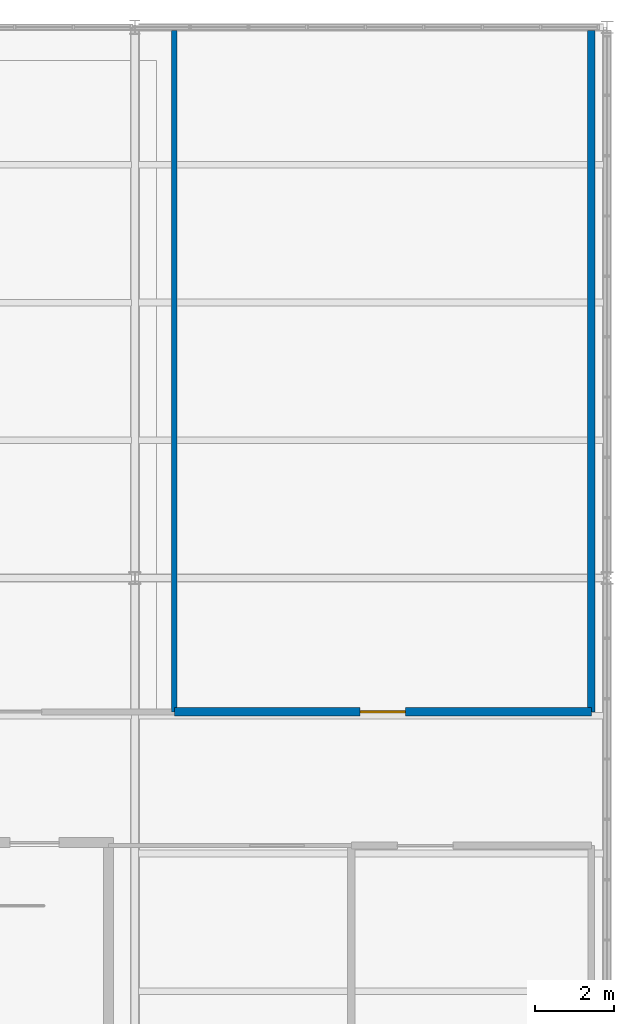
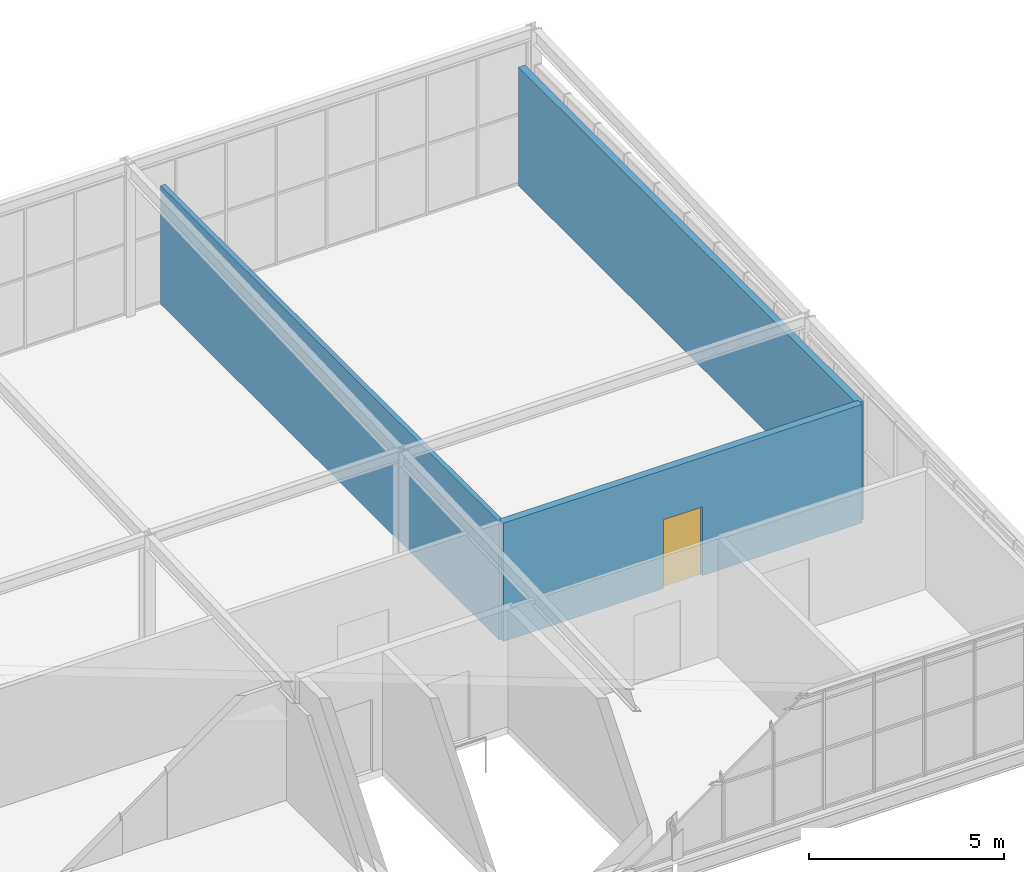
# One storey, part 26 of 27: 3 walls, 1 door, 1 opening.
"""IFC4 building model written with IfcOpenShell, lengths in metres."""

import ifcopenshell
import ifcopenshell.guid

model = None  # the IFC model being written
_history = None  # IfcOwnerHistory: only IFC2X3 demands one
_inside = {}  # id of a spatial element -> (the spatial element, [elements in it])
_under = {}  # id of a project, library or spatial element -> (it, [spatial elements below it])
_declared = {}  # id of a project -> (the project, [libraries it declares])
_typed = {}  # id of a type object -> (the type object, [elements of that type])
_made_of = {}  # id of a material, layer set ... -> (it, [elements and type objects made of it])


def new_model(schema):
    """Start an empty IFC model of exactly this schema.

    Asked for "IFC4X3", IfcOpenShell would pick the latest addendum, in which some entities
    have other attributes; the version numbers below select the first issue.
    IFC2X3 requires an IfcOwnerHistory on every rooted entity: one is made here for all.
    """
    global model, _history
    if schema == "IFC4X3":
        model = ifcopenshell.file(schema_version=(4, 3, 0, 0))
    else:
        model = ifcopenshell.file(schema=schema)
    _inside.clear()
    _under.clear()
    _declared.clear()
    _typed.clear()
    _made_of.clear()
    _history = None
    if model.schema == "IFC2X3":
        org = make("IfcOrganization", Name="unknown")
        user = make(
            "IfcPersonAndOrganization",
            ThePerson=make("IfcPerson", FamilyName="unknown"),
            TheOrganization=org,
        )
        app = make(
            "IfcApplication",
            ApplicationDeveloper=org,
            Version="unknown",
            ApplicationFullName="unknown",
            ApplicationIdentifier="unknown",
        )
        _history = make(
            "IfcOwnerHistory",
            OwningUser=user,
            OwningApplication=app,
            ChangeAction="ADDED",
            CreationDate=0,
        )
    return model


def make(cls, **values):
    """One entity of the class cls with the attributes given. An attribute that is None is left unset."""
    return model.create_entity(
        cls, **{name: value for name, value in values.items() if value is not None}
    )


def rooted(cls, **values):
    """An entity with a GlobalId (a new one), such as an element, a storey or a relation."""
    return make(cls, GlobalId=ifcopenshell.guid.new(), OwnerHistory=_history, **values)


def si_unit(unit_type, name, prefix=None):
    """IfcSIUnit, for example si_unit("LENGTHUNIT", "METRE", prefix="MILLI")."""
    return make("IfcSIUnit", UnitType=unit_type, Prefix=prefix, Name=name)


def assignment(units):
    """IfcUnitAssignment: the units of a project."""
    return None if units is None else make("IfcUnitAssignment", Units=units)


def point(xyz):
    """IfcCartesianPoint."""
    return None if xyz is None else make("IfcCartesianPoint", Coordinates=xyz)


def direction(xyz):
    """IfcDirection."""
    return None if xyz is None else make("IfcDirection", DirectionRatios=xyz)


def frame(location, z_axis=None, x_axis=None):
    """IfcAxis2Placement3D, a coordinate frame: its origin and axes. An axis left out is left unset."""
    return make(
        "IfcAxis2Placement3D",
        Location=point(location),
        Axis=direction(z_axis),
        RefDirection=direction(x_axis),
    )


def frame_2d(location, x_axis=None):
    """IfcAxis2Placement2D, a coordinate frame in the plane: its origin and x axis."""
    return make(
        "IfcAxis2Placement2D", Location=point(location), RefDirection=direction(x_axis)
    )


def origin():
    """The frame at (0, 0, 0) with its axes left unset."""
    return frame((0.0, 0.0, 0.0))


def place(relative_to, where):
    """IfcLocalPlacement: puts the frame where relative to a parent placement (None: the world)."""
    return make(
        "IfcLocalPlacement", PlacementRelTo=relative_to, RelativePlacement=where
    )


def context(
    kind, dimensions, precision=None, world=None, true_north=None, identifier=None
):
    """IfcGeometricRepresentationContext, for example the 3D "Model" context."""
    return make(
        "IfcGeometricRepresentationContext",
        ContextIdentifier=identifier,
        ContextType=kind,
        CoordinateSpaceDimension=dimensions,
        Precision=precision,
        WorldCoordinateSystem=world,
        TrueNorth=true_north,
    )


def subcontext(parent, identifier, kind, view, scale=None):
    """IfcGeometricRepresentationSubContext, for example "Body" below "Model"."""
    return make(
        "IfcGeometricRepresentationSubContext",
        ContextIdentifier=identifier,
        ContextType=kind,
        ParentContext=parent,
        TargetScale=scale,
        TargetView=view,
    )


def project(units=None, contexts=None):
    """IfcProject with its units and contexts."""
    return rooted(
        "IfcProject",
        Name="project",
        RepresentationContexts=contexts,
        UnitsInContext=assignment(units),
    )


def spatial(cls, under=None, at=None, **own):
    """A site, building, storey or space (cls), placed at a placement, below another one or the project."""
    s = rooted(cls, ObjectPlacement=at, **own)
    if under is not None:
        _under.setdefault(under.id(), (under, []))[1].append(s)
    return s


def profile(cls, at=None, kind="AREA", **sizes):
    """A parametric profile (cls). Its sizes go by their IFC names, for example OverallWidth=200.0."""
    return make(cls, ProfileType=kind, Position=at, **sizes)


def rectangle(**sizes):
    """IfcRectangleProfileDef."""
    return profile("IfcRectangleProfileDef", **sizes)


def extrude(swept, where, along, depth):
    """IfcExtrudedAreaSolid: the profile swept, set in the frame where, extruded along a direction by depth."""
    return make(
        "IfcExtrudedAreaSolid",
        SweptArea=swept,
        Position=where,
        ExtrudedDirection=direction(along),
        Depth=depth,
    )


def shape(context_of_items, identifier, shape_type, items):
    """IfcShapeRepresentation: the items that make up one representation, for example the "Body"."""
    return make(
        "IfcShapeRepresentation",
        ContextOfItems=context_of_items,
        RepresentationIdentifier=identifier,
        RepresentationType=shape_type,
        Items=items,
    )


def material(Name=None, Category=None):
    """IfcMaterial."""
    return make("IfcMaterial", Name=Name, Category=Category)


def layer(
    of_material, thickness, ventilated=None, Name=None, Category=None, Priority=None
):
    """IfcMaterialLayer: one layer of a wall or slab, of a material (None: an air gap)."""
    return make(
        "IfcMaterialLayer",
        Material=of_material,
        LayerThickness=thickness,
        IsVentilated=ventilated,
        Name=Name,
        Category=Category,
        Priority=Priority,
    )


def layer_set(layers, Name=None):
    """IfcMaterialLayerSet."""
    return make("IfcMaterialLayerSet", MaterialLayers=layers, LayerSetName=Name)


def made_of(thing, what):
    """Note that an element or type object is made of a material, layer set ...; save() writes the relation."""
    if what is not None:
        _made_of.setdefault(what.id(), (what, []))[1].append(thing)
    return thing


def type_object(cls, material=None, **own):
    """A type object (cls), such as IfcWallType, which elements share."""
    return made_of(rooted(cls, **own), material)


def element(
    cls,
    number,
    at=None,
    inside=None,
    cuts=None,
    type_object=None,
    material=None,
    context=None,
    identifier="Body",
    shape_type=None,
    held_by="IfcProductDefinitionShape",
    body=None,
    shapes=None,
    **own,
):
    """One element of the class cls, such as IfcWall. Its Tag is "e" and its number.

    at: its placement. inside: the storey or other place that contains it. cuts: it is an
    opening in that element (IfcRelVoidsElement). A single representation is given by context,
    identifier, shape_type and body (its items); several are given by shapes. held_by: the class
    of the entity that holds the representations. save() writes the other relations.
    """
    e = rooted(cls, Tag="e%d" % number, ObjectPlacement=at, **own)
    if body is not None:
        shapes = [shape(context, identifier, shape_type, body)]
    if shapes is not None:
        e.Representation = make(held_by, Representations=shapes)
    if inside is not None:
        _inside.setdefault(inside.id(), (inside, []))[1].append(e)
    if cuts is not None:
        rooted(
            "IfcRelVoidsElement", RelatingBuildingElement=cuts, RelatedOpeningElement=e
        )
    if type_object is not None:
        _typed.setdefault(type_object.id(), (type_object, []))[1].append(e)
    return made_of(e, material)


def fill(opening, filler):
    """IfcRelFillsElement: the door or window that sits in an opening."""
    return rooted(
        "IfcRelFillsElement",
        RelatingOpeningElement=opening,
        RelatedBuildingElement=filler,
    )


def aggregate(whole, parts):
    """IfcRelAggregates: a whole, such as a stair, and the parts it consists of."""
    return rooted("IfcRelAggregates", RelatingObject=whole, RelatedObjects=parts)


def save(model, path):
    """Write the relations noted so far, then the file.

    IfcRelAggregates (storeys below a building ...), IfcRelContainedInSpatialStructure (elements
    in a storey), IfcRelDefinesByType, IfcRelAssociatesMaterial and IfcRelDeclares: one each for
    every whole, place, type object, material and project.
    """
    for whole, parts in _under.values():
        aggregate(whole, parts)
    for where, things in _inside.values():
        rooted(
            "IfcRelContainedInSpatialStructure",
            RelatedElements=things,
            RelatingStructure=where,
        )
    for kind, things in _typed.values():
        rooted("IfcRelDefinesByType", RelatedObjects=things, RelatingType=kind)
    for what, things in _made_of.values():
        rooted("IfcRelAssociatesMaterial", RelatedObjects=things, RelatingMaterial=what)
    for by, libraries in _declared.values():
        rooted("IfcRelDeclares", RelatingContext=by, RelatedDefinitions=libraries)
    model.write(path)


model = new_model("IFC4")

# Units and contexts
model_context = context("Model", 3, precision=1e-05, world=origin(), true_north=direction((0.0, 1.0)))
body_context = subcontext(model_context, "Body", "Model", "MODEL_VIEW")
ifc_project = project(units=[si_unit("LENGTHUNIT", "METRE"), si_unit("AREAUNIT", "SQUARE_METRE"), si_unit("VOLUMEUNIT", "CUBIC_METRE"), si_unit("PLANEANGLEUNIT", "RADIAN"), si_unit("MASSUNIT", "GRAM", prefix="KILO")], contexts=[model_context])

# Site, building, storey
site_placement = place(None, origin())
site = spatial("IfcSite", under=ifc_project, at=site_placement, CompositionType="ELEMENT")
building_placement = place(site_placement, origin())
building = spatial("IfcBuilding", under=site, at=building_placement, Name="Solvenia Promenade Tram Depot", CompositionType="ELEMENT")
storey_placement = place(building_placement, frame((0.0, 0.0, 13.5)))
storey = spatial("IfcBuildingStorey", under=building, at=storey_placement, Name="L03", CompositionType="ELEMENT", Elevation=13.5)

# Wall
ifc_material_1 = material(Name="Concrete blockwork masonry", Category="masonry")
ifc_layer_1 = layer(ifc_material_1, 0.195068359375, Name="Concrete blockwork masonry", Category="masonry")
ifc_layer_set_1 = layer_set([ifc_layer_1], Name="Concrete blockwork masonry")
wall_type_1 = type_object("IfcWallType", Name="Wall-Fire-195", PredefinedType="PARTITIONING", material=ifc_layer_set_1)
wall_1_placement = place(storey_placement, frame((161.60009765625, 48.60009765625, 0.0), z_axis=(0.0, 0.0, 1.0), x_axis=(0.0, 1.0, 0.0)))
element("IfcWall", 1, at=wall_1_placement, inside=storey, type_object=wall_type_1, Name="SCADA and Telecom Plant Dividing Wall WP-L03-128", PredefinedType="PARTITIONING", context=body_context, shape_type="SweptSolid", body=[
    extrude(rectangle(XDim=17.31982421875, YDim=0.195068359375, at=frame_2d((8.659912109375, 0.0))), origin(), (0.0, 0.0, 1.0), 3.699951171875),
])

# Wall, opening, door
ifc_layer_2 = layer(ifc_material_1, 0.215087890625, Name="Concrete blockwork masonry", Category="masonry")
ifc_layer_set_2 = layer_set([ifc_layer_2], Name="Concrete blockwork masonry")
wall_type_2 = type_object("IfcWallType", Name="Wall-Fire-215", PredefinedType="PARTITIONING", material=ifc_layer_set_2)
wall_2_placement = place(storey_placement, frame((151.0, 48.60009765625, 0.0), z_axis=(0.0, 0.0, 1.0), x_axis=(1.0, 0.0, 0.0)))
wall_2 = element("IfcWall", 2, at=wall_2_placement, inside=storey, type_object=wall_type_2, Name="SCADA and Telecom Plant Partition WP-L03-127", PredefinedType="PARTITIONING", context=body_context, shape_type="SweptSolid", body=[
    extrude(rectangle(XDim=10.60009765625, YDim=0.215087890625, at=frame_2d((5.300048828125, 0.0))), origin(), (0.0, 0.0, 1.0), 3.699951171875),
])
opening_placement = place(wall_2_placement, frame((4.72509765625, 0.0, 0.0)))
opening = element("IfcOpeningElement", 3, at=opening_placement, cuts=wall_2, Name="Opening D-FD60", PredefinedType="OPENING", context=body_context, shape_type="SweptSolid", body=[
    extrude(rectangle(XDim=1.14990234375, YDim=2.14990234375, at=frame_2d((0.574951171875, 1.074951171875))), frame((0.0, 0.117431640625, 0.0), z_axis=(0.0, -1.0, 0.0), x_axis=(1.0, 0.0, 0.0)), (0.0, 0.0, 1.0), 0.235107421875),
])
ifc_material_2 = material(Name="Galvanized painted sheet steel", Category="steel")
door_type = type_object("IfcDoorType", Name="Door-Fire-FD60", OperationType="NOTDEFINED", PredefinedType="DOOR", material=ifc_material_2)
door_placement = place(opening_placement, origin())
door = element("IfcDoor", 4, at=door_placement, inside=storey, type_object=door_type, Name="Door to SCADA and Telecom Plant", OperationType="SINGLE_SWING_LEFT", OverallHeight=2.14990234375, OverallWidth=1.14990234375, PredefinedType="DOOR", context=body_context, shape_type="SweptSolid", body=[
    extrude(rectangle(XDim=1.14990234375, YDim=2.14990234375, at=frame_2d((0.574951171875, 1.074951171875))), frame((0.0, 0.02490234375, 0.0), z_axis=(0.0, -1.0, 0.0), x_axis=(1.0, 0.0, 0.0)), (0.0, 0.0, 1.0), 0.050048828125),
])
fill(opening, door)

# Wall
ifc_material_3 = material(Name="Gypsum board acoustic partition", Category="other")
ifc_layer_3 = layer(ifc_material_3, 0.137939453125, Name="Gypsum board acoustic partition", Category="other")
ifc_layer_set_3 = layer_set([ifc_layer_3], Name="Gypsum board acoustic partition")
wall_type_3 = type_object("IfcWallType", Name="Wall-Part-138", PredefinedType="PARTITIONING", material=ifc_layer_set_3)
wall_3_placement = place(storey_placement, frame((151.0, 48.60009765625, 0.0), z_axis=(0.0, 0.0, 1.0), x_axis=(0.0, 1.0, 0.0)))
element("IfcWall", 5, at=wall_3_placement, inside=storey, type_object=wall_type_3, Name="Tram Simulator Hall Dividing Wall WP-L03-126", PredefinedType="PARTITIONING", context=body_context, shape_type="SweptSolid", body=[
    extrude(rectangle(XDim=17.31982421875, YDim=0.137939453125, at=frame_2d((8.659912109375, 0.0))), origin(), (0.0, 0.0, 1.0), 3.699951171875),
])

save(model, "model.ifc")
